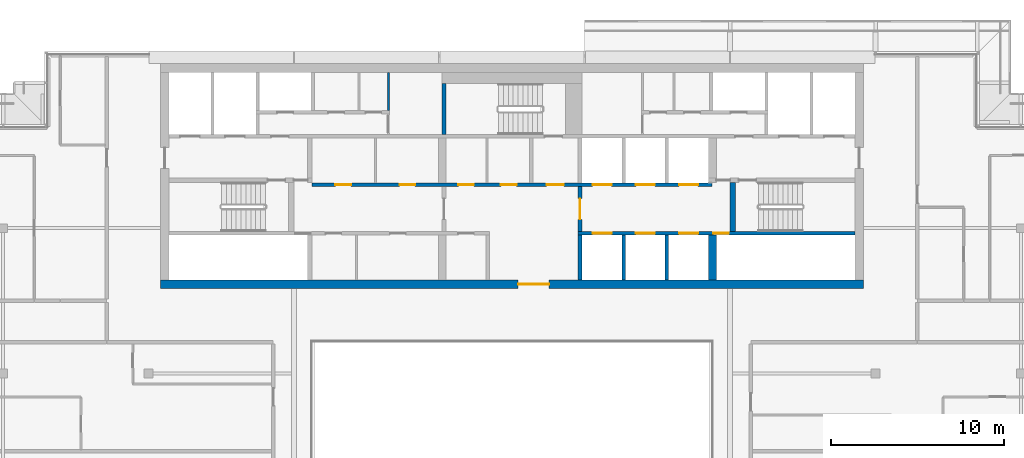
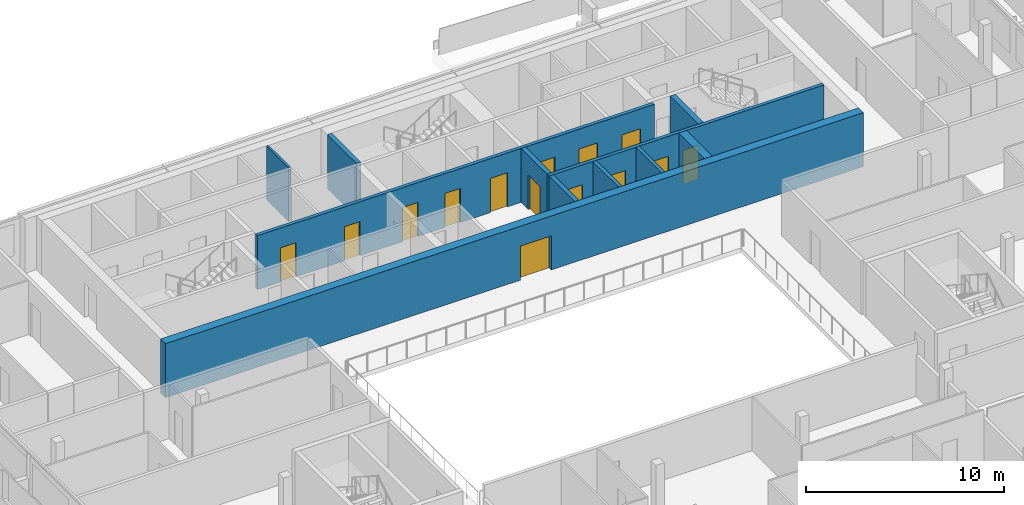
# One storey, part 18 of 27: 14 doors, 11 walls, 14 openings.
"""IFC4 building model written with IfcOpenShell, lengths in metres."""

from ifc_helpers import new_model, si_unit, direction, frame, frame_2d, origin, place, context, subcontext, project, spatial, rectangle, extrude, material, layer, layer_set, type_object, element, fill, save


model = new_model("IFC4")

# Units and contexts
model_context = context("Model", 3, precision=1e-05, world=origin(), true_north=direction((0.0, 1.0)))
body_context = subcontext(model_context, "Body", "Model", "MODEL_VIEW")
ifc_project = project(units=[si_unit("LENGTHUNIT", "METRE"), si_unit("AREAUNIT", "SQUARE_METRE"), si_unit("VOLUMEUNIT", "CUBIC_METRE"), si_unit("PLANEANGLEUNIT", "RADIAN"), si_unit("MASSUNIT", "GRAM", prefix="KILO")], contexts=[model_context])

# Site, building, storey
site_placement = place(None, origin())
site = spatial("IfcSite", under=ifc_project, at=site_placement, CompositionType="ELEMENT")
building_placement = place(site_placement, origin())
building = spatial("IfcBuilding", under=site, at=building_placement, Name="Saffron Gate Tower", CompositionType="ELEMENT")
storey_placement = place(building_placement, frame((0.0, 0.0, 274.35009765625)))
storey = spatial("IfcBuildingStorey", under=building, at=storey_placement, Name="L66", CompositionType="ELEMENT", Elevation=274.35009765625)

# Wall, opening, door
ifc_material_1 = material(Name="Concrete C50", Category="concrete")
ifc_layer_1 = layer(ifc_material_1, 0.5)
ifc_layer_set_1 = layer_set([ifc_layer_1], Name="CW22 RC core wall 500 C50")
wall_type_1 = type_object("IfcWallType", Name="CW22 RC core wall 500 C50", PredefinedType="SOLIDWALL", material=ifc_layer_set_1)
wall_1_placement = place(storey_placement, frame((67.300048828125, 62.14990234375, 0.0), z_axis=(0.0, 0.0, 1.0), x_axis=(1.0, 0.0, 0.0)))
wall_1 = element("IfcWall", 1, at=wall_1_placement, inside=storey, type_object=wall_type_1, Name="Wall CW22-L66-1", PredefinedType="SOLIDWALL", context=body_context, shape_type="SweptSolid", body=[
    extrude(rectangle(XDim=40.599853515625, YDim=0.5, at=frame_2d((20.2998046875, 0.0))), origin(), (0.0, 0.0, 1.0), 3.31982421875),
])
opening_1_placement = place(wall_1_placement, frame((20.64990234375, 0.0, 0.0)))
opening_1 = element("IfcOpeningElement", 2, at=opening_1_placement, cuts=wall_1, Name="Opening CR-09", PredefinedType="OPENING", context=body_context, shape_type="SweptSolid", body=[
    extrude(rectangle(XDim=1.800048828125, YDim=2.10009765625, at=frame_2d((0.89990234375, 1.050048828125))), frame((0.0, 0.260009765625, 0.0), z_axis=(0.0, -1.0, 0.0), x_axis=(1.0, 0.0, 0.0)), (0.0, 0.0, 1.0), 0.52001953125),
])
ifc_material_2 = material(Name="Steel fire door set", Category="steel")
door_type_1 = type_object("IfcDoorType", Name="CD1 Core entrance door 1800x2100 EI 120", OperationType="NOTDEFINED", PredefinedType="DOOR", material=ifc_material_2)
door_1_placement = place(opening_1_placement, origin())
door_1 = element("IfcDoor", 3, at=door_1_placement, inside=storey, type_object=door_type_1, Name="DOOR CR-09", OperationType="DOUBLE_DOOR_SINGLE_SWING", OverallHeight=2.10009765625, OverallWidth=1.800048828125, PredefinedType="DOOR", context=body_context, shape_type="SweptSolid", body=[
    extrude(rectangle(XDim=1.800048828125, YDim=2.10009765625, at=frame_2d((0.89990234375, 1.050048828125))), frame((0.0, 0.02490234375, 0.0), z_axis=(0.0, -1.0, 0.0), x_axis=(1.0, 0.0, 0.0)), (0.0, 0.0, 1.0), 0.050048828125),
])
fill(opening_1, door_1)

# Wall
ifc_layer_2 = layer(ifc_material_1, 0.25)
ifc_layer_set_2 = layer_set([ifc_layer_2], Name="CW23 RC core wall 250 C50")
wall_type_2 = type_object("IfcWallType", Name="CW23 RC core wall 250 C50", PredefinedType="SOLIDWALL", material=ifc_layer_set_2)
wall_2_placement = place(storey_placement, frame((91.52490234375, 62.39990234375, 0.0), z_axis=(0.0, 0.0, 1.0), x_axis=(0.0, 1.0, 0.0)))
element("IfcWall", 4, at=wall_2_placement, inside=storey, type_object=wall_type_2, Name="Wall CW23-L66-9", PredefinedType="SOLIDWALL", context=body_context, shape_type="SweptSolid", body=[
    extrude(rectangle(XDim=2.60009765625, YDim=0.25, at=frame_2d((1.300048828125, 0.0))), origin(), (0.0, 0.0, 1.0), 3.31982421875),
])

# Wall, opening, door
wall_3_placement = place(storey_placement, frame((91.52490234375, 65.199951171875, 0.0), z_axis=(0.0, 0.0, 1.0), x_axis=(0.0, 1.0, 0.0)))
wall_3 = element("IfcWall", 5, at=wall_3_placement, inside=storey, type_object=wall_type_2, Name="Wall CW23-L66-17", PredefinedType="SOLIDWALL", context=body_context, shape_type="SweptSolid", body=[
    extrude(rectangle(XDim=2.60009765625, YDim=0.25, at=frame_2d((1.300048828125, 0.0))), origin(), (0.0, 0.0, 1.0), 3.31982421875),
])
opening_2_placement = place(wall_3_placement, frame((0.699951171875, 0.0, 0.0)))
opening_2 = element("IfcOpeningElement", 6, at=opening_2_placement, cuts=wall_3, Name="Opening CR-01", PredefinedType="OPENING", context=body_context, shape_type="SweptSolid", body=[
    extrude(rectangle(XDim=1.199951171875, YDim=2.10009765625, at=frame_2d((0.60009765625, 1.050048828125))), frame((0.0, 0.135009765625, 0.0), z_axis=(0.0, -1.0, 0.0), x_axis=(1.0, 0.0, 0.0)), (0.0, 0.0, 1.0), 0.27001953125),
])
door_type_2 = type_object("IfcDoorType", Name="CD3 Lobby door 1200x2100 EI 120", OperationType="NOTDEFINED", PredefinedType="DOOR", material=ifc_material_2)
door_2_placement = place(opening_2_placement, origin())
door_2 = element("IfcDoor", 7, at=door_2_placement, inside=storey, type_object=door_type_2, Name="DOOR CR-01", OperationType="SINGLE_SWING_RIGHT", OverallHeight=2.10009765625, OverallWidth=1.199951171875, PredefinedType="DOOR", context=body_context, shape_type="SweptSolid", body=[
    extrude(rectangle(XDim=1.199951171875, YDim=2.10009765625, at=frame_2d((0.60009765625, 1.050048828125))), frame((0.0, 0.02490234375, 0.0), z_axis=(0.0, -1.0, 0.0), x_axis=(1.0, 0.0, 0.0)), (0.0, 0.0, 1.0), 0.050048828125),
])
fill(opening_2, door_2)

# Walls
wall_4_placement = place(storey_placement, frame((83.675048828125, 70.800048828125, 0.0), z_axis=(0.0, 0.0, 1.0), x_axis=(0.0, 1.0, 0.0)))
element("IfcWall", 8, at=wall_4_placement, inside=storey, type_object=wall_type_2, Name="Wall CW23-L66-36", PredefinedType="SOLIDWALL", context=body_context, shape_type="SweptSolid", body=[
    extrude(rectangle(XDim=2.949951171875, YDim=0.25, at=frame_2d((1.47509765625, 0.0))), origin(), (0.0, 0.0, 1.0), 3.31982421875),
])
ifc_layer_3 = layer(ifc_material_1, 0.449951171875)
ifc_layer_set_3 = layer_set([ifc_layer_3], Name="CW24 RC core wall 450 C50")
wall_type_3 = type_object("IfcWallType", Name="CW24 RC core wall 450 C50", PredefinedType="SOLIDWALL", material=ifc_layer_set_3)
wall_5_placement = place(storey_placement, frame((99.175048828125, 62.39990234375, 0.0), z_axis=(0.0, 0.0, 1.0), x_axis=(0.0, 1.0, 0.0)))
element("IfcWall", 9, at=wall_5_placement, inside=storey, type_object=wall_type_3, Name="Wall CW24-L66-12", PredefinedType="SOLIDWALL", context=body_context, shape_type="SweptSolid", body=[
    extrude(rectangle(XDim=2.60009765625, YDim=0.449951171875, at=frame_2d((1.300048828125, 0.0))), origin(), (0.0, 0.0, 1.0), 3.31982421875),
])
ifc_layer_4 = layer(ifc_material_1, 0.199951171875)
ifc_layer_set_4 = layer_set([ifc_layer_4], Name="CW25 RC core wall 200 C50")
wall_type_4 = type_object("IfcWallType", Name="CW25 RC core wall 200 C50", PredefinedType="SOLIDWALL", material=ifc_layer_set_4)
for number, where, z_axis, x_axis, name in (
    (10, (94.050048828125, 62.39990234375, 0.0), (0.0, 0.0, 1.0), (0.0, 1.0, 0.0), "Wall CW25-L66-10"),
    (11, (96.550048828125, 62.39990234375, 0.0), (0.0, 0.0, 1.0), (0.0, 1.0, 0.0), "Wall CW25-L66-11"),
):
    element("IfcWall", number, at=place(storey_placement, frame(where, z_axis=z_axis, x_axis=x_axis)), inside=storey, type_object=wall_type_4, Name=name, PredefinedType="SOLIDWALL", context=body_context, shape_type="SweptSolid", body=[
        extrude(rectangle(XDim=2.60009765625, YDim=0.199951171875, at=frame_2d((1.300048828125, 0.0))), origin(), (0.0, 0.0, 1.0), 3.31982421875),
    ])

# Wall, openings, doors
wall_6_placement = place(storey_placement, frame((91.39990234375, 65.10009765625, 0.0), z_axis=(0.0, 0.0, 1.0), x_axis=(1.0, 0.0, 0.0)))
wall_6 = element("IfcWall", 12, at=wall_6_placement, inside=storey, type_object=wall_type_4, Name="Wall CW25-L66-14", PredefinedType="SOLIDWALL", context=body_context, shape_type="SweptSolid", body=[
    extrude(rectangle(XDim=16.0, YDim=0.199951171875, at=frame_2d((8.0, 0.0))), origin(), (0.0, 0.0, 1.0), 3.31982421875),
])
opening_3_placement = place(wall_6_placement, frame((0.85009765625, 0.0, 0.0)))
opening_3 = element("IfcOpeningElement", 13, at=opening_3_placement, cuts=wall_6, Name="Opening LD-HR1", PredefinedType="OPENING", context=body_context, shape_type="SweptSolid", body=[
    extrude(rectangle(XDim=1.10009765625, YDim=2.10009765625, at=frame_2d((0.550048828125, 1.050048828125))), frame((0.0, 0.10986328125, 0.0), z_axis=(0.0, -1.0, 0.0), x_axis=(1.0, 0.0, 0.0)), (0.0, 0.0, 1.0), 0.219970703125),
])
opening_4_placement = place(wall_6_placement, frame((3.35009765625, 0.0, 0.0)))
opening_4 = element("IfcOpeningElement", 14, at=opening_4_placement, cuts=wall_6, Name="Opening LD-HR2", PredefinedType="OPENING", context=body_context, shape_type="SweptSolid", body=[
    extrude(rectangle(XDim=1.10009765625, YDim=2.10009765625, at=frame_2d((0.550048828125, 1.050048828125))), frame((0.0, 0.10986328125, 0.0), z_axis=(0.0, -1.0, 0.0), x_axis=(1.0, 0.0, 0.0)), (0.0, 0.0, 1.0), 0.219970703125),
])
opening_5_placement = place(wall_6_placement, frame((5.85009765625, 0.0, 0.0)))
opening_5 = element("IfcOpeningElement", 15, at=opening_5_placement, cuts=wall_6, Name="Opening LD-HR3", PredefinedType="OPENING", context=body_context, shape_type="SweptSolid", body=[
    extrude(rectangle(XDim=1.10009765625, YDim=2.10009765625, at=frame_2d((0.550048828125, 1.050048828125))), frame((0.0, 0.10986328125, 0.0), z_axis=(0.0, -1.0, 0.0), x_axis=(1.0, 0.0, 0.0)), (0.0, 0.0, 1.0), 0.219970703125),
])
opening_6_placement = place(wall_6_placement, frame((7.830078125, 0.0, 0.0)))
opening_6 = element("IfcOpeningElement", 16, at=opening_6_placement, cuts=wall_6, Name="Opening CR-48", PredefinedType="OPENING", context=body_context, shape_type="SweptSolid", body=[
    extrude(rectangle(XDim=0.89990234375, YDim=2.10009765625, at=frame_2d((0.449951171875, 1.050048828125))), frame((0.0, 0.10986328125, 0.0), z_axis=(0.0, -1.0, 0.0), x_axis=(1.0, 0.0, 0.0)), (0.0, 0.0, 1.0), 0.219970703125),
])
door_type_3 = type_object("IfcDoorType", Name="CD2 Riser door 900x2100 EI 60", OperationType="NOTDEFINED", PredefinedType="DOOR", material=ifc_material_2)
door_3_placement = place(opening_6_placement, origin())
door_3 = element("IfcDoor", 17, at=door_3_placement, inside=storey, type_object=door_type_3, Name="DOOR CR-48", OperationType="SINGLE_SWING_RIGHT", OverallHeight=2.10009765625, OverallWidth=0.89990234375, PredefinedType="DOOR", context=body_context, shape_type="SweptSolid", body=[
    extrude(rectangle(XDim=0.89990234375, YDim=2.10009765625, at=frame_2d((0.449951171875, 1.050048828125))), frame((0.0, 0.02490234375, 0.0), z_axis=(0.0, -1.0, 0.0), x_axis=(1.0, 0.0, 0.0)), (0.0, 0.0, 1.0), 0.050048828125),
])
fill(opening_6, door_3)
ifc_material_3 = material(Name="Stainless steel landing door", Category="steel")
door_type_4 = type_object("IfcDoorType", Name="LD Lift landing door 1100x2100 EI 120", OperationType="SLIDING_TO_LEFT", PredefinedType="DOOR", material=ifc_material_3)
door_4_placement = place(opening_3_placement, origin())
door_4 = element("IfcDoor", 18, at=door_4_placement, inside=storey, type_object=door_type_4, Name="LANDING DOOR LD-HR1", OperationType="SLIDING_TO_LEFT", OverallHeight=2.10009765625, OverallWidth=1.10009765625, PredefinedType="DOOR", context=body_context, shape_type="SweptSolid", body=[
    extrude(rectangle(XDim=1.10009765625, YDim=2.10009765625, at=frame_2d((0.550048828125, 1.050048828125))), frame((0.0, 0.02490234375, 0.0), z_axis=(0.0, -1.0, 0.0), x_axis=(1.0, 0.0, 0.0)), (0.0, 0.0, 1.0), 0.050048828125),
])
fill(opening_3, door_4)
door_5_placement = place(opening_4_placement, origin())
door_5 = element("IfcDoor", 19, at=door_5_placement, inside=storey, type_object=door_type_4, Name="LANDING DOOR LD-HR2", OperationType="SLIDING_TO_LEFT", OverallHeight=2.10009765625, OverallWidth=1.10009765625, PredefinedType="DOOR", context=body_context, shape_type="SweptSolid", body=[
    extrude(rectangle(XDim=1.10009765625, YDim=2.10009765625, at=frame_2d((0.550048828125, 1.050048828125))), frame((0.0, 0.02490234375, 0.0), z_axis=(0.0, -1.0, 0.0), x_axis=(1.0, 0.0, 0.0)), (0.0, 0.0, 1.0), 0.050048828125),
])
fill(opening_4, door_5)
door_6_placement = place(opening_5_placement, origin())
door_6 = element("IfcDoor", 20, at=door_6_placement, inside=storey, type_object=door_type_4, Name="LANDING DOOR LD-HR3", OperationType="SLIDING_TO_LEFT", OverallHeight=2.10009765625, OverallWidth=1.10009765625, PredefinedType="DOOR", context=body_context, shape_type="SweptSolid", body=[
    extrude(rectangle(XDim=1.10009765625, YDim=2.10009765625, at=frame_2d((0.550048828125, 1.050048828125))), frame((0.0, 0.02490234375, 0.0), z_axis=(0.0, -1.0, 0.0), x_axis=(1.0, 0.0, 0.0)), (0.0, 0.0, 1.0), 0.050048828125),
])
fill(opening_5, door_6)

wall_7_placement = place(storey_placement, frame((76.050048828125, 67.89990234375, 0.0), z_axis=(0.0, 0.0, 1.0), x_axis=(1.0, 0.0, 0.0)))
wall_7 = element("IfcWall", 21, at=wall_7_placement, inside=storey, type_object=wall_type_4, Name="Wall CW25-L66-19", PredefinedType="SOLIDWALL", context=body_context, shape_type="SweptSolid", body=[
    extrude(rectangle(XDim=23.099853515625, YDim=0.199951171875, at=frame_2d((11.5498046875, 0.0))), origin(), (0.0, 0.0, 1.0), 3.31982421875),
])
opening_7_placement = place(wall_7_placement, frame((1.35009765625, 0.0, 0.0)))
opening_7 = element("IfcOpeningElement", 22, at=opening_7_placement, cuts=wall_7, Name="Opening CR-61", PredefinedType="OPENING", context=body_context, shape_type="SweptSolid", body=[
    extrude(rectangle(XDim=0.89990234375, YDim=2.10009765625, at=frame_2d((0.449951171875, 1.050048828125))), frame((0.0, 0.10986328125, 0.0), z_axis=(0.0, -1.0, 0.0), x_axis=(1.0, 0.0, 0.0)), (0.0, 0.0, 1.0), 0.219970703125),
])
opening_8_placement = place(wall_7_placement, frame((5.06005859375, 0.0, 0.0)))
opening_8 = element("IfcOpeningElement", 23, at=opening_8_placement, cuts=wall_7, Name="Opening CR-62", PredefinedType="OPENING", context=body_context, shape_type="SweptSolid", body=[
    extrude(rectangle(XDim=0.89990234375, YDim=2.10009765625, at=frame_2d((0.449951171875, 1.050048828125))), frame((0.0, 0.10986328125, 0.0), z_axis=(0.0, -1.0, 0.0), x_axis=(1.0, 0.0, 0.0)), (0.0, 0.0, 1.0), 0.219970703125),
])
opening_9_placement = place(wall_7_placement, frame((8.449951171875, 0.0, 0.0)))
opening_9 = element("IfcOpeningElement", 24, at=opening_9_placement, cuts=wall_7, Name="Opening CR-67", PredefinedType="OPENING", context=body_context, shape_type="SweptSolid", body=[
    extrude(rectangle(XDim=0.89990234375, YDim=2.10009765625, at=frame_2d((0.449951171875, 1.050048828125))), frame((0.0, 0.10986328125, 0.0), z_axis=(0.0, -1.0, 0.0), x_axis=(1.0, 0.0, 0.0)), (0.0, 0.0, 1.0), 0.219970703125),
])
opening_10_placement = place(wall_7_placement, frame((10.909912109375, 0.0, 0.0)))
opening_10 = element("IfcOpeningElement", 25, at=opening_10_placement, cuts=wall_7, Name="Opening CR-68", PredefinedType="OPENING", context=body_context, shape_type="SweptSolid", body=[
    extrude(rectangle(XDim=0.89990234375, YDim=2.10009765625, at=frame_2d((0.449951171875, 1.050048828125))), frame((0.0, 0.10986328125, 0.0), z_axis=(0.0, -1.0, 0.0), x_axis=(1.0, 0.0, 0.0)), (0.0, 0.0, 1.0), 0.219970703125),
])
opening_11_placement = place(wall_7_placement, frame((13.550048828125, 0.0, 0.0)))
opening_11 = element("IfcOpeningElement", 26, at=opening_11_placement, cuts=wall_7, Name="Opening CR-02", PredefinedType="OPENING", context=body_context, shape_type="SweptSolid", body=[
    extrude(rectangle(XDim=1.0, YDim=2.10009765625, at=frame_2d((0.5, 1.050048828125))), frame((0.0, 0.10986328125, 0.0), z_axis=(0.0, -1.0, 0.0), x_axis=(1.0, 0.0, 0.0)), (0.0, 0.0, 1.0), 0.219970703125),
])
opening_12_placement = place(wall_7_placement, frame((16.199951171875, 0.0, 0.0)))
opening_12 = element("IfcOpeningElement", 27, at=opening_12_placement, cuts=wall_7, Name="Opening LD-HR4", PredefinedType="OPENING", context=body_context, shape_type="SweptSolid", body=[
    extrude(rectangle(XDim=1.10009765625, YDim=2.10009765625, at=frame_2d((0.550048828125, 1.050048828125))), frame((0.0, 0.10986328125, 0.0), z_axis=(0.0, -1.0, 0.0), x_axis=(1.0, 0.0, 0.0)), (0.0, 0.0, 1.0), 0.219970703125),
])
opening_13_placement = place(wall_7_placement, frame((18.699951171875, 0.0, 0.0)))
opening_13 = element("IfcOpeningElement", 28, at=opening_13_placement, cuts=wall_7, Name="Opening LD-HR5", PredefinedType="OPENING", context=body_context, shape_type="SweptSolid", body=[
    extrude(rectangle(XDim=1.10009765625, YDim=2.10009765625, at=frame_2d((0.550048828125, 1.050048828125))), frame((0.0, 0.10986328125, 0.0), z_axis=(0.0, -1.0, 0.0), x_axis=(1.0, 0.0, 0.0)), (0.0, 0.0, 1.0), 0.219970703125),
])
opening_14_placement = place(wall_7_placement, frame((21.199951171875, 0.0, 0.0)))
opening_14 = element("IfcOpeningElement", 29, at=opening_14_placement, cuts=wall_7, Name="Opening LD-HR6", PredefinedType="OPENING", context=body_context, shape_type="SweptSolid", body=[
    extrude(rectangle(XDim=1.10009765625, YDim=2.10009765625, at=frame_2d((0.550048828125, 1.050048828125))), frame((0.0, 0.10986328125, 0.0), z_axis=(0.0, -1.0, 0.0), x_axis=(1.0, 0.0, 0.0)), (0.0, 0.0, 1.0), 0.219970703125),
])
door_type_5 = type_object("IfcDoorType", Name="CD4 Lobby door 1000x2100 EI 120", OperationType="NOTDEFINED", PredefinedType="DOOR", material=ifc_material_2)
door_7_placement = place(opening_11_placement, origin())
door_7 = element("IfcDoor", 30, at=door_7_placement, inside=storey, type_object=door_type_5, Name="DOOR CR-02", OperationType="SINGLE_SWING_LEFT", OverallHeight=2.10009765625, OverallWidth=1.0, PredefinedType="DOOR", context=body_context, shape_type="SweptSolid", body=[
    extrude(rectangle(XDim=1.0, YDim=2.10009765625, at=frame_2d((0.5, 1.050048828125))), frame((0.0, 0.02490234375, 0.0), z_axis=(0.0, -1.0, 0.0), x_axis=(1.0, 0.0, 0.0)), (0.0, 0.0, 1.0), 0.050048828125),
])
fill(opening_11, door_7)
door_type_6 = type_object("IfcDoorType", Name="CD9 Room door 900x2100 EI 60", OperationType="NOTDEFINED", PredefinedType="DOOR", material=ifc_material_2)
door_8_placement = place(opening_7_placement, origin())
door_8 = element("IfcDoor", 31, at=door_8_placement, inside=storey, type_object=door_type_6, Name="DOOR CR-61", OperationType="SINGLE_SWING_LEFT", OverallHeight=2.10009765625, OverallWidth=0.89990234375, PredefinedType="DOOR", context=body_context, shape_type="SweptSolid", body=[
    extrude(rectangle(XDim=0.89990234375, YDim=2.10009765625, at=frame_2d((0.449951171875, 1.050048828125))), frame((0.0, 0.02490234375, 0.0), z_axis=(0.0, -1.0, 0.0), x_axis=(1.0, 0.0, 0.0)), (0.0, 0.0, 1.0), 0.050048828125),
])
fill(opening_7, door_8)
door_9_placement = place(opening_8_placement, origin())
door_9 = element("IfcDoor", 32, at=door_9_placement, inside=storey, type_object=door_type_6, Name="DOOR CR-62", OperationType="SINGLE_SWING_LEFT", OverallHeight=2.10009765625, OverallWidth=0.89990234375, PredefinedType="DOOR", context=body_context, shape_type="SweptSolid", body=[
    extrude(rectangle(XDim=0.89990234375, YDim=2.10009765625, at=frame_2d((0.449951171875, 1.050048828125))), frame((0.0, 0.02490234375, 0.0), z_axis=(0.0, -1.0, 0.0), x_axis=(1.0, 0.0, 0.0)), (0.0, 0.0, 1.0), 0.050048828125),
])
fill(opening_8, door_9)
door_10_placement = place(opening_9_placement, origin())
door_10 = element("IfcDoor", 33, at=door_10_placement, inside=storey, type_object=door_type_6, Name="DOOR CR-67", OperationType="SINGLE_SWING_LEFT", OverallHeight=2.10009765625, OverallWidth=0.89990234375, PredefinedType="DOOR", context=body_context, shape_type="SweptSolid", body=[
    extrude(rectangle(XDim=0.89990234375, YDim=2.10009765625, at=frame_2d((0.449951171875, 1.050048828125))), frame((0.0, 0.02490234375, 0.0), z_axis=(0.0, -1.0, 0.0), x_axis=(1.0, 0.0, 0.0)), (0.0, 0.0, 1.0), 0.050048828125),
])
fill(opening_9, door_10)
door_11_placement = place(opening_10_placement, origin())
door_11 = element("IfcDoor", 34, at=door_11_placement, inside=storey, type_object=door_type_6, Name="DOOR CR-68", OperationType="SINGLE_SWING_LEFT", OverallHeight=2.10009765625, OverallWidth=0.89990234375, PredefinedType="DOOR", context=body_context, shape_type="SweptSolid", body=[
    extrude(rectangle(XDim=0.89990234375, YDim=2.10009765625, at=frame_2d((0.449951171875, 1.050048828125))), frame((0.0, 0.02490234375, 0.0), z_axis=(0.0, -1.0, 0.0), x_axis=(1.0, 0.0, 0.0)), (0.0, 0.0, 1.0), 0.050048828125),
])
fill(opening_10, door_11)
door_12_placement = place(opening_12_placement, origin())
door_12 = element("IfcDoor", 35, at=door_12_placement, inside=storey, type_object=door_type_4, Name="LANDING DOOR LD-HR4", OperationType="SLIDING_TO_RIGHT", OverallHeight=2.10009765625, OverallWidth=1.10009765625, PredefinedType="DOOR", context=body_context, shape_type="SweptSolid", body=[
    extrude(rectangle(XDim=1.10009765625, YDim=2.10009765625, at=frame_2d((0.550048828125, 1.050048828125))), frame((0.0, 0.02490234375, 0.0), z_axis=(0.0, -1.0, 0.0), x_axis=(1.0, 0.0, 0.0)), (0.0, 0.0, 1.0), 0.050048828125),
])
fill(opening_12, door_12)
door_13_placement = place(opening_13_placement, origin())
door_13 = element("IfcDoor", 36, at=door_13_placement, inside=storey, type_object=door_type_4, Name="LANDING DOOR LD-HR5", OperationType="SLIDING_TO_RIGHT", OverallHeight=2.10009765625, OverallWidth=1.10009765625, PredefinedType="DOOR", context=body_context, shape_type="SweptSolid", body=[
    extrude(rectangle(XDim=1.10009765625, YDim=2.10009765625, at=frame_2d((0.550048828125, 1.050048828125))), frame((0.0, 0.02490234375, 0.0), z_axis=(0.0, -1.0, 0.0), x_axis=(1.0, 0.0, 0.0)), (0.0, 0.0, 1.0), 0.050048828125),
])
fill(opening_13, door_13)
door_14_placement = place(opening_14_placement, origin())
door_14 = element("IfcDoor", 37, at=door_14_placement, inside=storey, type_object=door_type_4, Name="LANDING DOOR LD-HR6", OperationType="SLIDING_TO_RIGHT", OverallHeight=2.10009765625, OverallWidth=1.10009765625, PredefinedType="DOOR", context=body_context, shape_type="SweptSolid", body=[
    extrude(rectangle(XDim=1.10009765625, YDim=2.10009765625, at=frame_2d((0.550048828125, 1.050048828125))), frame((0.0, 0.02490234375, 0.0), z_axis=(0.0, -1.0, 0.0), x_axis=(1.0, 0.0, 0.0)), (0.0, 0.0, 1.0), 0.050048828125),
])
fill(opening_14, door_14)

# Walls
ifc_layer_5 = layer(ifc_material_1, 0.300048828125)
ifc_layer_set_5 = layer_set([ifc_layer_5], Name="CW26 RC core wall 300 C50")
wall_type_5 = type_object("IfcWallType", Name="CW26 RC core wall 300 C50", PredefinedType="SOLIDWALL", material=ifc_layer_set_5)
wall_8_placement = place(storey_placement, frame((100.35009765625, 65.199951171875, 0.0), z_axis=(0.0, 0.0, 1.0), x_axis=(0.0, 1.0, 0.0)))
element("IfcWall", 38, at=wall_8_placement, inside=storey, type_object=wall_type_5, Name="Wall CW26-L66-18", PredefinedType="SOLIDWALL", context=body_context, shape_type="SweptSolid", body=[
    extrude(rectangle(XDim=2.85009765625, YDim=0.300048828125, at=frame_2d((1.425048828125, 0.0))), origin(), (0.0, 0.0, 1.0), 3.31982421875),
])
ifc_material_4 = material(Name="Gypsum board partition on steel studs", Category="steel")
ifc_layer_6 = layer(ifc_material_4, 0.1201171875)
ifc_layer_set_6 = layer_set([ifc_layer_6], Name="CW8 Core partition 120")
wall_type_6 = type_object("IfcWallType", Name="CW8 Core partition 120", PredefinedType="PARTITIONING", material=ifc_layer_set_6)
wall_9_placement = place(storey_placement, frame((80.4599609375, 72.199951171875, 0.0), z_axis=(0.0, 0.0, 1.0), x_axis=(0.0, 1.0, 0.0)))
element("IfcWall", 39, at=wall_9_placement, inside=storey, type_object=wall_type_6, Name="Wall CW8-L66-46", PredefinedType="PARTITIONING", context=body_context, shape_type="SweptSolid", body=[
    extrude(rectangle(XDim=2.199951171875, YDim=0.1201171875, at=frame_2d((1.10009765625, 0.0))), origin(), (0.0, 0.0, 1.0), 3.31982421875),
])

save(model, "model.ifc")
